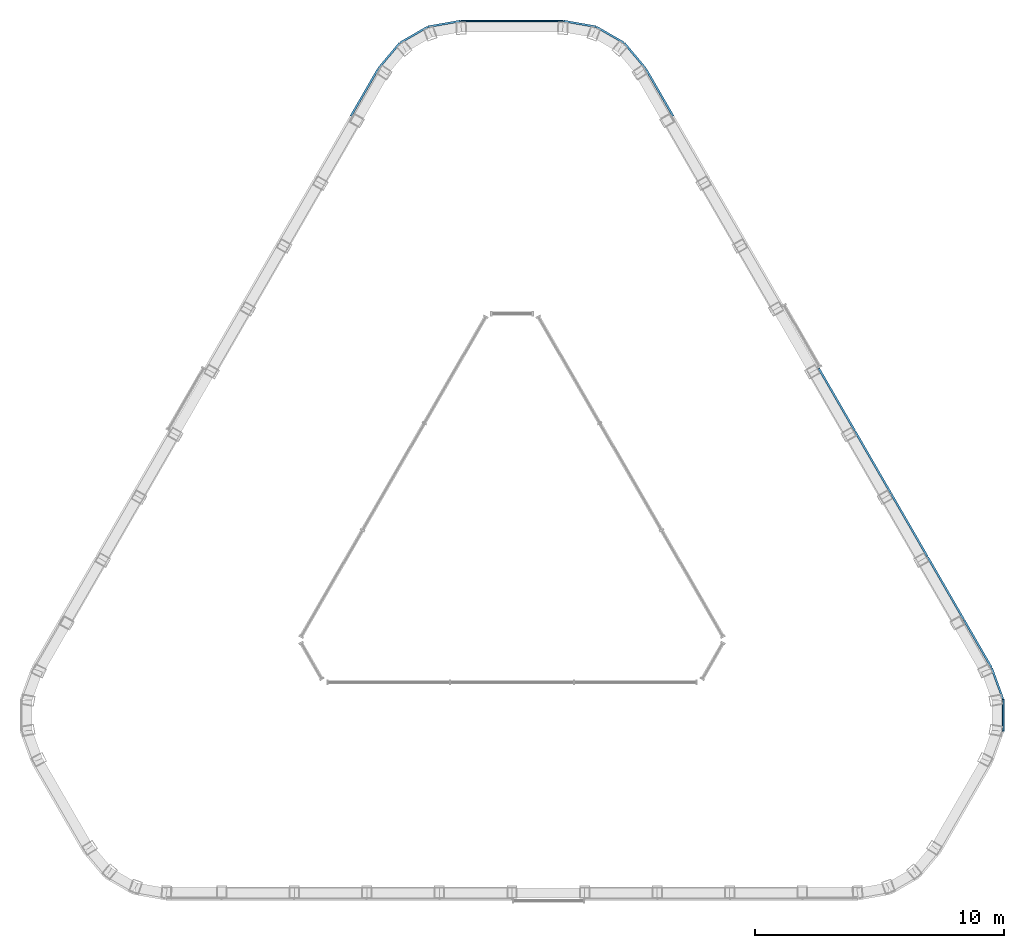
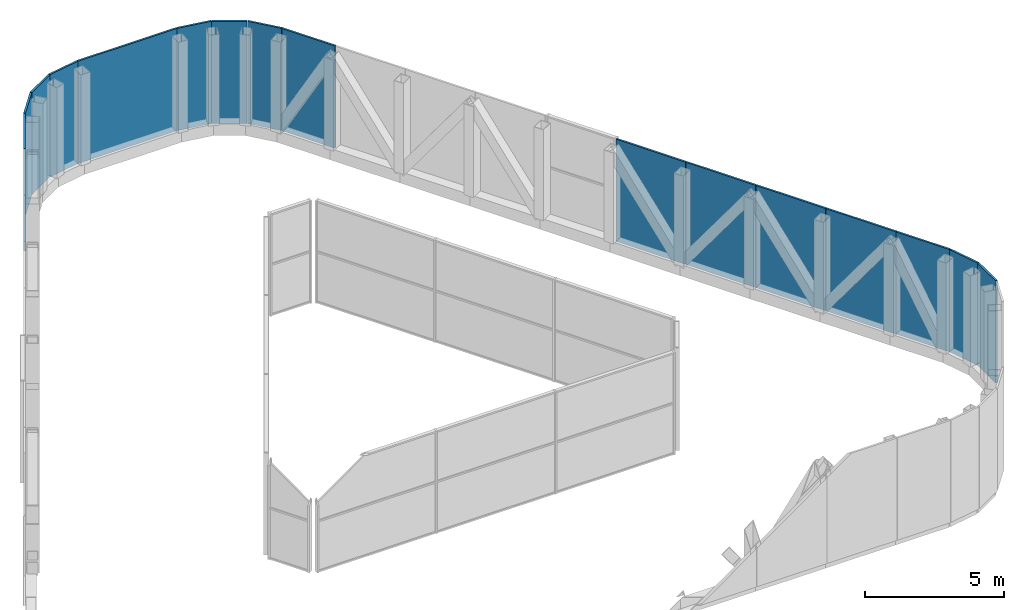
# One storey, part 5 of 5: 16 plates.
"""IFC4 building model written with IfcOpenShell, lengths in metres."""

import ifcopenshell
import ifcopenshell.guid

model = None  # the IFC model being written
_history = None  # IfcOwnerHistory: only IFC2X3 demands one
_inside = {}  # id of a spatial element -> (the spatial element, [elements in it])
_under = {}  # id of a project, library or spatial element -> (it, [spatial elements below it])
_declared = {}  # id of a project -> (the project, [libraries it declares])
_typed = {}  # id of a type object -> (the type object, [elements of that type])
_made_of = {}  # id of a material, layer set ... -> (it, [elements and type objects made of it])


def new_model(schema):
    """Start an empty IFC model of exactly this schema.

    Asked for "IFC4X3", IfcOpenShell would pick the latest addendum, in which some entities
    have other attributes; the version numbers below select the first issue.
    IFC2X3 requires an IfcOwnerHistory on every rooted entity: one is made here for all.
    """
    global model, _history
    if schema == "IFC4X3":
        model = ifcopenshell.file(schema_version=(4, 3, 0, 0))
    else:
        model = ifcopenshell.file(schema=schema)
    _inside.clear()
    _under.clear()
    _declared.clear()
    _typed.clear()
    _made_of.clear()
    _history = None
    if model.schema == "IFC2X3":
        org = make("IfcOrganization", Name="unknown")
        user = make(
            "IfcPersonAndOrganization",
            ThePerson=make("IfcPerson", FamilyName="unknown"),
            TheOrganization=org,
        )
        app = make(
            "IfcApplication",
            ApplicationDeveloper=org,
            Version="unknown",
            ApplicationFullName="unknown",
            ApplicationIdentifier="unknown",
        )
        _history = make(
            "IfcOwnerHistory",
            OwningUser=user,
            OwningApplication=app,
            ChangeAction="ADDED",
            CreationDate=0,
        )
    return model


def make(cls, **values):
    """One entity of the class cls with the attributes given. An attribute that is None is left unset."""
    return model.create_entity(
        cls, **{name: value for name, value in values.items() if value is not None}
    )


def rooted(cls, **values):
    """An entity with a GlobalId (a new one), such as an element, a storey or a relation."""
    return make(cls, GlobalId=ifcopenshell.guid.new(), OwnerHistory=_history, **values)


def si_unit(unit_type, name, prefix=None):
    """IfcSIUnit, for example si_unit("LENGTHUNIT", "METRE", prefix="MILLI")."""
    return make("IfcSIUnit", UnitType=unit_type, Prefix=prefix, Name=name)


def assignment(units):
    """IfcUnitAssignment: the units of a project."""
    return None if units is None else make("IfcUnitAssignment", Units=units)


def point(xyz):
    """IfcCartesianPoint."""
    return None if xyz is None else make("IfcCartesianPoint", Coordinates=xyz)


def direction(xyz):
    """IfcDirection."""
    return None if xyz is None else make("IfcDirection", DirectionRatios=xyz)


def frame(location, z_axis=None, x_axis=None):
    """IfcAxis2Placement3D, a coordinate frame: its origin and axes. An axis left out is left unset."""
    return make(
        "IfcAxis2Placement3D",
        Location=point(location),
        Axis=direction(z_axis),
        RefDirection=direction(x_axis),
    )


def frame_2d(location, x_axis=None):
    """IfcAxis2Placement2D, a coordinate frame in the plane: its origin and x axis."""
    return make(
        "IfcAxis2Placement2D", Location=point(location), RefDirection=direction(x_axis)
    )


def origin():
    """The frame at (0, 0, 0) with its axes left unset."""
    return frame((0.0, 0.0, 0.0))


def origin_2d():
    """The frame at (0, 0) in the plane with its x axis left unset."""
    return frame_2d((0.0, 0.0))


def place(relative_to, where):
    """IfcLocalPlacement: puts the frame where relative to a parent placement (None: the world)."""
    return make(
        "IfcLocalPlacement", PlacementRelTo=relative_to, RelativePlacement=where
    )


def context(
    kind, dimensions, precision=None, world=None, true_north=None, identifier=None
):
    """IfcGeometricRepresentationContext, for example the 3D "Model" context."""
    return make(
        "IfcGeometricRepresentationContext",
        ContextIdentifier=identifier,
        ContextType=kind,
        CoordinateSpaceDimension=dimensions,
        Precision=precision,
        WorldCoordinateSystem=world,
        TrueNorth=true_north,
    )


def subcontext(parent, identifier, kind, view, scale=None):
    """IfcGeometricRepresentationSubContext, for example "Body" below "Model"."""
    return make(
        "IfcGeometricRepresentationSubContext",
        ContextIdentifier=identifier,
        ContextType=kind,
        ParentContext=parent,
        TargetScale=scale,
        TargetView=view,
    )


def project(units=None, contexts=None):
    """IfcProject with its units and contexts."""
    return rooted(
        "IfcProject",
        Name="project",
        RepresentationContexts=contexts,
        UnitsInContext=assignment(units),
    )


def spatial(cls, under=None, at=None, **own):
    """A site, building, storey or space (cls), placed at a placement, below another one or the project."""
    s = rooted(cls, ObjectPlacement=at, **own)
    if under is not None:
        _under.setdefault(under.id(), (under, []))[1].append(s)
    return s


def profile(cls, at=None, kind="AREA", **sizes):
    """A parametric profile (cls). Its sizes go by their IFC names, for example OverallWidth=200.0."""
    return make(cls, ProfileType=kind, Position=at, **sizes)


def rectangle(**sizes):
    """IfcRectangleProfileDef."""
    return profile("IfcRectangleProfileDef", **sizes)


def extrude(swept, where, along, depth):
    """IfcExtrudedAreaSolid: the profile swept, set in the frame where, extruded along a direction by depth."""
    return make(
        "IfcExtrudedAreaSolid",
        SweptArea=swept,
        Position=where,
        ExtrudedDirection=direction(along),
        Depth=depth,
    )


def shape(context_of_items, identifier, shape_type, items):
    """IfcShapeRepresentation: the items that make up one representation, for example the "Body"."""
    return make(
        "IfcShapeRepresentation",
        ContextOfItems=context_of_items,
        RepresentationIdentifier=identifier,
        RepresentationType=shape_type,
        Items=items,
    )


def material(Name=None, Category=None):
    """IfcMaterial."""
    return make("IfcMaterial", Name=Name, Category=Category)


def layer(
    of_material, thickness, ventilated=None, Name=None, Category=None, Priority=None
):
    """IfcMaterialLayer: one layer of a wall or slab, of a material (None: an air gap)."""
    return make(
        "IfcMaterialLayer",
        Material=of_material,
        LayerThickness=thickness,
        IsVentilated=ventilated,
        Name=Name,
        Category=Category,
        Priority=Priority,
    )


def layer_set(layers, Name=None):
    """IfcMaterialLayerSet."""
    return make("IfcMaterialLayerSet", MaterialLayers=layers, LayerSetName=Name)


def made_of(thing, what):
    """Note that an element or type object is made of a material, layer set ...; save() writes the relation."""
    if what is not None:
        _made_of.setdefault(what.id(), (what, []))[1].append(thing)
    return thing


def type_object(cls, material=None, **own):
    """A type object (cls), such as IfcWallType, which elements share."""
    return made_of(rooted(cls, **own), material)


def element(
    cls,
    number,
    at=None,
    inside=None,
    cuts=None,
    type_object=None,
    material=None,
    context=None,
    identifier="Body",
    shape_type=None,
    held_by="IfcProductDefinitionShape",
    body=None,
    shapes=None,
    **own,
):
    """One element of the class cls, such as IfcWall. Its Tag is "e" and its number.

    at: its placement. inside: the storey or other place that contains it. cuts: it is an
    opening in that element (IfcRelVoidsElement). A single representation is given by context,
    identifier, shape_type and body (its items); several are given by shapes. held_by: the class
    of the entity that holds the representations. save() writes the other relations.
    """
    e = rooted(cls, Tag="e%d" % number, ObjectPlacement=at, **own)
    if body is not None:
        shapes = [shape(context, identifier, shape_type, body)]
    if shapes is not None:
        e.Representation = make(held_by, Representations=shapes)
    if inside is not None:
        _inside.setdefault(inside.id(), (inside, []))[1].append(e)
    if cuts is not None:
        rooted(
            "IfcRelVoidsElement", RelatingBuildingElement=cuts, RelatedOpeningElement=e
        )
    if type_object is not None:
        _typed.setdefault(type_object.id(), (type_object, []))[1].append(e)
    return made_of(e, material)


def aggregate(whole, parts):
    """IfcRelAggregates: a whole, such as a stair, and the parts it consists of."""
    return rooted("IfcRelAggregates", RelatingObject=whole, RelatedObjects=parts)


def save(model, path):
    """Write the relations noted so far, then the file.

    IfcRelAggregates (storeys below a building ...), IfcRelContainedInSpatialStructure (elements
    in a storey), IfcRelDefinesByType, IfcRelAssociatesMaterial and IfcRelDeclares: one each for
    every whole, place, type object, material and project.
    """
    for whole, parts in _under.values():
        aggregate(whole, parts)
    for where, things in _inside.values():
        rooted(
            "IfcRelContainedInSpatialStructure",
            RelatedElements=things,
            RelatingStructure=where,
        )
    for kind, things in _typed.values():
        rooted("IfcRelDefinesByType", RelatedObjects=things, RelatingType=kind)
    for what, things in _made_of.values():
        rooted("IfcRelAssociatesMaterial", RelatedObjects=things, RelatingMaterial=what)
    for by, libraries in _declared.values():
        rooted("IfcRelDeclares", RelatingContext=by, RelatedDefinitions=libraries)
    model.write(path)


model = new_model("IFC4")

# Units and contexts
model_context = context("Model", 3, precision=1e-05, world=origin(), true_north=direction((0.0, 1.0)))
body_context = subcontext(model_context, "Body", "Model", "MODEL_VIEW")
ifc_project = project(units=[si_unit("LENGTHUNIT", "METRE"), si_unit("AREAUNIT", "SQUARE_METRE"), si_unit("VOLUMEUNIT", "CUBIC_METRE"), si_unit("PLANEANGLEUNIT", "RADIAN"), si_unit("MASSUNIT", "GRAM", prefix="KILO")], contexts=[model_context])

# Site, building, storey
site_placement = place(None, origin())
site = spatial("IfcSite", under=ifc_project, at=site_placement, CompositionType="ELEMENT")
building_placement = place(site_placement, origin())
building = spatial("IfcBuilding", under=site, at=building_placement, Name="Apuvela Tower Hotel", CompositionType="ELEMENT")
storey_placement = place(building_placement, frame((0.0, 0.0, 362.300048828125)))
storey = spatial("IfcBuildingStorey", under=building, at=storey_placement, Name="R-5 ROOF", CompositionType="ELEMENT", Elevation=362.300048828125)

# Plates
ifc_material = material(Name="Aluminium 6063-T6, black anodised perforated panel", Category="aluminium")
ifc_layer = layer(ifc_material, 0.080078125)
ifc_layer_set = layer_set([ifc_layer], Name="ENV-CROWN-SCREEN-80")
plate_type = type_object("IfcPlateType", Name="ENV-CROWN-SCREEN-80", PredefinedType="SHEET", material=ifc_layer_set)
plate_1_placement = place(storey_placement, frame((3.942626953125, 20.489013671875, 0.0), z_axis=(0.0, 0.0, 1.0), x_axis=(-0.866025403784, 0.5, 0.0)))
element("IfcPlate", 1, at=plate_1_placement, inside=storey, type_object=plate_type, Name="Crown screen 1", PredefinedType="SHEET", context=body_context, shape_type="SweptSolid", body=[
    extrude(rectangle(XDim=1.2841796875, YDim=0.080078125, at=origin_2d()), origin(), (0.0, 0.0, 1.0), 4.5),
])
plate_2_placement = place(storey_placement, frame((2.72216796875, 20.930908203125, 0.0), z_axis=(0.0, 0.0, 1.0), x_axis=(-0.984807753012, 0.173648177667, 0.0)))
element("IfcPlate", 2, at=plate_2_placement, inside=storey, type_object=plate_type, Name="Crown screen 2", PredefinedType="SHEET", context=body_context, shape_type="SweptSolid", body=[
    extrude(rectangle(XDim=1.311767578125, YDim=0.080078125, at=origin_2d()), origin(), (0.0, 0.0, 1.0), 4.5),
])
plate_3_placement = place(storey_placement, frame((0.0, 21.04638671875, 0.0), z_axis=(0.0, 0.0, 1.0), x_axis=(-1.0, 0.0, 0.0)))
element("IfcPlate", 3, at=plate_3_placement, inside=storey, type_object=plate_type, Name="Crown screen 3", PredefinedType="SHEET", context=body_context, shape_type="SweptSolid", body=[
    extrude(rectangle(XDim=4.11279296875, YDim=0.080078125, at=origin_2d()), origin(), (0.0, 0.0, 1.0), 4.5),
])
plate_4_placement = place(storey_placement, frame((-2.72216796875, 20.930908203125, 0.0), z_axis=(0.0, 0.0, 1.0), x_axis=(-0.984807753012, -0.173648177667, 0.0)))
element("IfcPlate", 4, at=plate_4_placement, inside=storey, type_object=plate_type, Name="Crown screen 4", PredefinedType="SHEET", context=body_context, shape_type="SweptSolid", body=[
    extrude(rectangle(XDim=1.311767578125, YDim=0.080078125, at=origin_2d()), origin(), (0.0, 0.0, 1.0), 4.5),
])
plate_5_placement = place(storey_placement, frame((-3.942626953125, 20.489013671875, 0.0), z_axis=(0.0, 0.0, 1.0), x_axis=(-0.866025403784, -0.5, 0.0)))
element("IfcPlate", 5, at=plate_5_placement, inside=storey, type_object=plate_type, Name="Crown screen 5", PredefinedType="SHEET", context=body_context, shape_type="SweptSolid", body=[
    extrude(rectangle(XDim=1.2841796875, YDim=0.080078125, at=origin_2d()), origin(), (0.0, 0.0, 1.0), 4.5),
])
plate_6_placement = place(storey_placement, frame((-4.935302734375, 19.653076171875, 0.0), z_axis=(0.0, 0.0, 1.0), x_axis=(-0.642787609687, -0.766044443119, 0.0)))
element("IfcPlate", 6, at=plate_6_placement, inside=storey, type_object=plate_type, Name="Crown screen 6", PredefinedType="SHEET", context=body_context, shape_type="SweptSolid", body=[
    extrude(rectangle(XDim=1.311767578125, YDim=0.080078125, at=origin_2d()), origin(), (0.0, 0.0, 1.0), 4.5),
])
plate_7_placement = place(storey_placement, frame((-5.920166015625, 18.178466796875, 0.0), z_axis=(0.0, 0.0, 1.0), x_axis=(-0.5, -0.866025403784, 0.0)))
element("IfcPlate", 7, at=plate_7_placement, inside=storey, type_object=plate_type, Name="Crown screen 7", PredefinedType="SHEET", context=body_context, shape_type="SweptSolid", body=[
    extrude(rectangle(XDim=2.20751953125, YDim=0.080078125, at=origin_2d()), origin(), (0.0, 0.0, 1.0), 4.5),
])
plate_8_placement = place(storey_placement, frame((19.71533203125, -6.830078125, 0.0), z_axis=(0.0, 0.0, 1.0), x_axis=(0.0, 1.0, 0.0)))
element("IfcPlate", 8, at=plate_8_placement, inside=storey, type_object=plate_type, Name="Crown screen 39", PredefinedType="SHEET", context=body_context, shape_type="SweptSolid", body=[
    extrude(rectangle(XDim=1.2841796875, YDim=0.080078125, at=origin_2d()), origin(), (0.0, 0.0, 1.0), 4.5),
])
plate_9_placement = place(storey_placement, frame((19.487548828125, -5.552490234375, 0.0), z_axis=(0.0, 0.0, 1.0), x_axis=(-0.342020143326, 0.939692620786, 0.0)))
element("IfcPlate", 9, at=plate_9_placement, inside=storey, type_object=plate_type, Name="Crown screen 40", PredefinedType="SHEET", context=body_context, shape_type="SweptSolid", body=[
    extrude(rectangle(XDim=1.311767578125, YDim=0.080078125, at=origin_2d()), origin(), (0.0, 0.0, 1.0), 4.5),
])
plate_10_placement = place(storey_placement, frame((18.702880859375, -3.962158203125, 0.0), z_axis=(0.0, 0.0, 1.0), x_axis=(-0.5, 0.866025403784, 0.0)))
element("IfcPlate", 10, at=plate_10_placement, inside=storey, type_object=plate_type, Name="Crown screen 41", PredefinedType="SHEET", context=body_context, shape_type="SweptSolid", body=[
    extrude(rectangle(XDim=2.20751953125, YDim=0.080078125, at=origin_2d()), origin(), (0.0, 0.0, 1.0), 4.5),
])
for number, where, z_axis, x_axis, name in (
    (11, (17.4169921875, -1.734619140625, 0.0), (0.0, 0.0, 1.0), (-0.5, 0.866025403784, 0.0), "Crown screen 42"),
    (12, (15.958251953125, 0.7919921875, 0.0), (0.0, 0.0, 1.0), (-0.5, 0.866025403784, 0.0), "Crown screen 43"),
    (13, (14.49951171875, 3.318359375, 0.0), (0.0, 0.0, 1.0), (-0.5, 0.866025403784, 0.0), "Crown screen 44"),
    (14, (13.041015625, 5.844970703125, 0.0), (0.0, 0.0, 1.0), (-0.5, 0.866025403784, 0.0), "Crown screen 45"),
):
    element("IfcPlate", number, at=place(storey_placement, frame(where, z_axis=z_axis, x_axis=x_axis)), inside=storey, type_object=plate_type, Name=name, PredefinedType="SHEET", context=body_context, shape_type="SweptSolid", body=[
        extrude(rectangle(XDim=2.897216796875, YDim=0.080078125, at=origin_2d()), origin(), (0.0, 0.0, 1.0), 4.5),
    ])
plate_11_placement = place(storey_placement, frame((5.920166015625, 18.178466796875, 0.0), z_axis=(0.0, 0.0, 1.0), x_axis=(-0.5, 0.866025403784, 0.0)))
element("IfcPlate", 15, at=plate_11_placement, inside=storey, type_object=plate_type, Name="Crown screen 50", PredefinedType="SHEET", context=body_context, shape_type="SweptSolid", body=[
    extrude(rectangle(XDim=2.20751953125, YDim=0.080078125, at=origin_2d()), origin(), (0.0, 0.0, 1.0), 4.5),
])
plate_12_placement = place(storey_placement, frame((4.935302734375, 19.653076171875, 0.0), z_axis=(0.0, 0.0, 1.0), x_axis=(-0.642787609687, 0.766044443119, 0.0)))
element("IfcPlate", 16, at=plate_12_placement, inside=storey, type_object=plate_type, Name="Crown screen 51", PredefinedType="SHEET", context=body_context, shape_type="SweptSolid", body=[
    extrude(rectangle(XDim=1.311767578125, YDim=0.080078125, at=origin_2d()), origin(), (0.0, 0.0, 1.0), 4.5),
])

save(model, "model.ifc")
